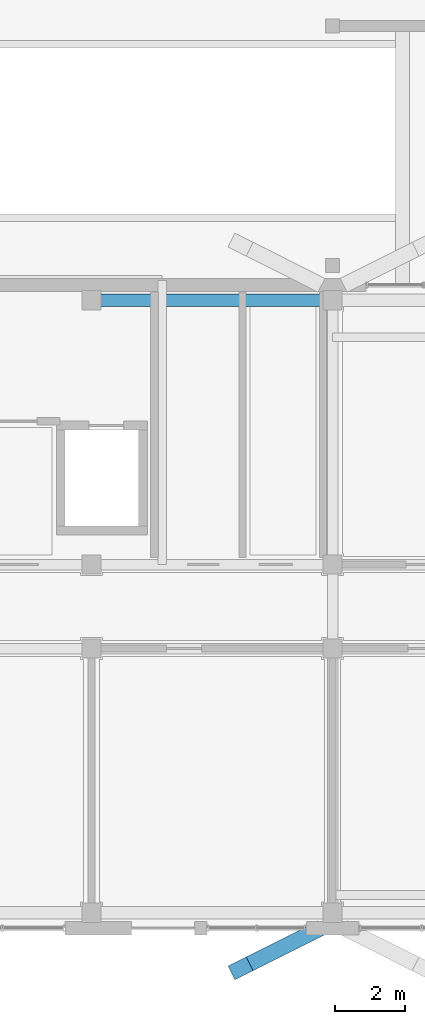
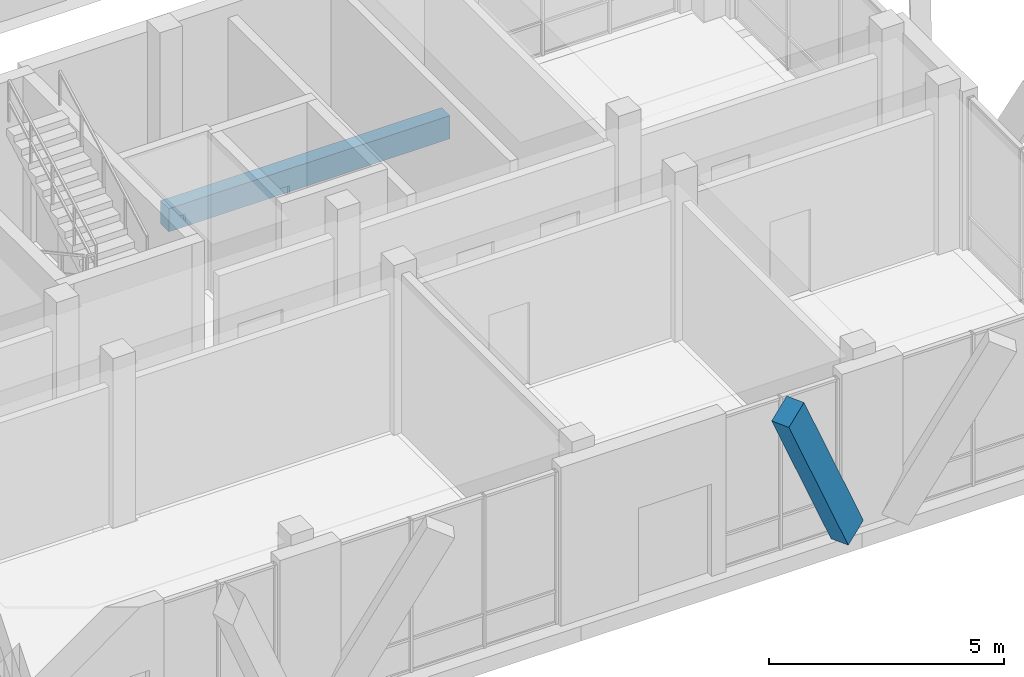
# One storey, part 143 of 233: 1 beam, 1 member.
"""IFC4 building model written with IfcOpenShell, lengths in metres."""

from ifc_helpers import new_model, si_unit, direction, frame, origin, origin_2d, place, context, subcontext, project, spatial, rectangle, extrude, material, material_profile, profile_set, type_object, element, save


model = new_model("IFC4")

# Units and contexts
model_context = context("Model", 3, precision=1e-05, world=origin(), true_north=direction((0.0, 1.0)))
body_context = subcontext(model_context, "Body", "Model", "MODEL_VIEW")
ifc_project = project(units=[si_unit("LENGTHUNIT", "METRE"), si_unit("AREAUNIT", "SQUARE_METRE"), si_unit("VOLUMEUNIT", "CUBIC_METRE"), si_unit("PLANEANGLEUNIT", "RADIAN"), si_unit("MASSUNIT", "GRAM", prefix="KILO")], contexts=[model_context])

# Site, building, storey
site_placement = place(None, origin())
site = spatial("IfcSite", under=ifc_project, at=site_placement, CompositionType="ELEMENT")
building_placement = place(site_placement, origin())
building = spatial("IfcBuilding", under=site, at=building_placement, Name="Zavelmont Quarter", CompositionType="ELEMENT")
storey_placement = place(building_placement, origin())
storey = spatial("IfcBuildingStorey", under=building, at=storey_placement, Name="L00", CompositionType="ELEMENT", Elevation=0.0)

# Beam
ifc_material_1 = material(Name="Concrete C35/45", Category="concrete")
ifc_material_profile_1 = material_profile(ifc_material_1, rectangle(XDim=0.35009765625, YDim=0.60009765625, at=origin_2d()), Name="RC350X600")
ifc_profile_set_1 = profile_set([ifc_material_profile_1], Name="Concrete C35/45")
beam_type = type_object("IfcBeamType", Name="BM01", PredefinedType="SPANDREL", material=ifc_profile_set_1)
beam_placement = place(storey_placement, frame((154.199951171875, 17.9599609375, -0.6201171875), z_axis=(1.0, 0.0, 0.0), x_axis=(0.0, 1.0, 0.0)))
element("IfcBeam", 1, at=beam_placement, inside=storey, type_object=beam_type, Name="L00 beam BM01 23/D to 24/D", PredefinedType="SPANDREL", context=body_context, shape_type="SweptSolid", body=[
    extrude(rectangle(XDim=0.35009765625, YDim=0.60009765625, at=origin_2d()), origin(), (0.0, 0.0, 1.0), 6.900146484375),
])

# Member
ifc_material_2 = material(Name="White architectural precast concrete C40/50", Category="concrete")
ifc_material_profile_2 = material_profile(ifc_material_2, rectangle(XDim=0.43994140625, YDim=0.659912109375, at=origin_2d()), Name="PCR320X480")
ifc_profile_set_2 = profile_set([ifc_material_profile_2], Name="White architectural precast concrete C40/50")
member_type = type_object("IfcMemberType", Name="VR01M", PredefinedType="CHORD", material=ifc_profile_set_2)
member_placement = place(storey_placement, frame((160.52001953125, -0.1201171875, 0.0), z_axis=(-0.413591220737, -0.207484273201, 0.88650582542), x_axis=(0.448403840089, -0.893831078109, 0.0)))
element("IfcMember", 2, at=member_placement, inside=storey, type_object=member_type, Name="L00 member VR01M 24/A to 24/A", PredefinedType="CHORD", context=body_context, shape_type="SweptSolid", body=[
    extrude(rectangle(XDim=0.43994140625, YDim=0.659912109375, at=origin_2d()), origin(), (0.0, 0.0, 1.0), 4.963134765625),
])

save(model, "model.ifc")
